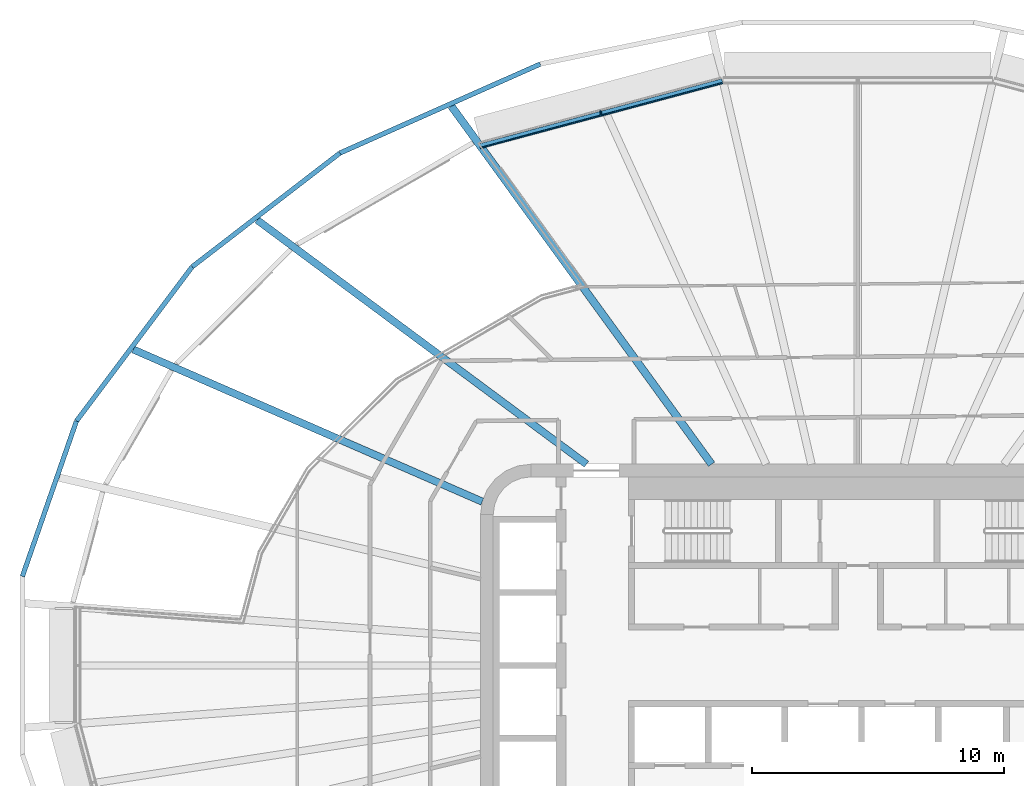
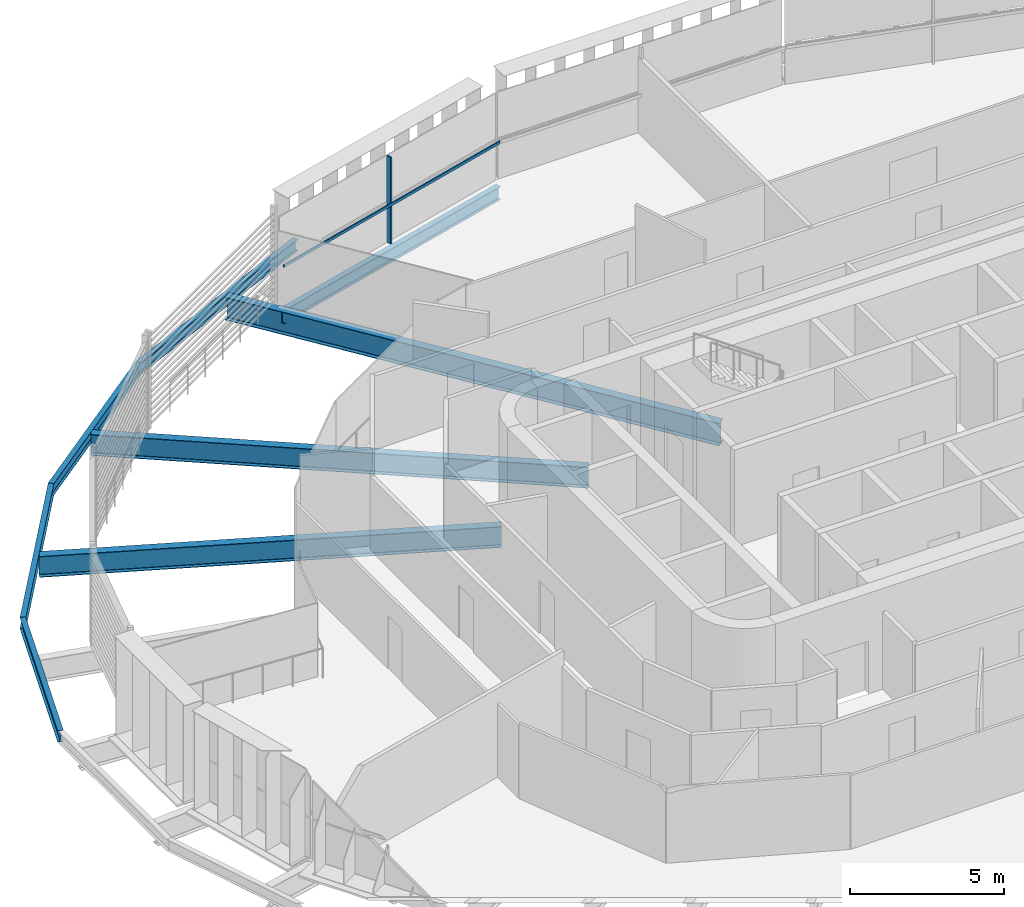
# One storey, part 5 of 23: 8 beams, 2 members, 1 element without a shape of its own.
"""IFC4 building model written with IfcOpenShell, lengths in metres."""

from ifc_helpers import new_model, si_unit, direction, frame, origin, origin_2d, place, context, subcontext, project, spatial, rectangle, i_section, extrude, material, layer, layer_set, material_profile, profile_set, type_object, element, aggregate, save


model = new_model("IFC4")

# Units and contexts
model_context = context("Model", 3, precision=1e-05, world=origin(), true_north=direction((0.0, 1.0)))
body_context = subcontext(model_context, "Body", "Model", "MODEL_VIEW")
ifc_project = project(units=[si_unit("LENGTHUNIT", "METRE"), si_unit("AREAUNIT", "SQUARE_METRE"), si_unit("VOLUMEUNIT", "CUBIC_METRE"), si_unit("PLANEANGLEUNIT", "RADIAN"), si_unit("MASSUNIT", "GRAM", prefix="KILO")], contexts=[model_context])

# Site, building, storey
site_placement = place(None, origin())
site = spatial("IfcSite", under=ifc_project, at=site_placement, CompositionType="ELEMENT")
building_placement = place(site_placement, origin())
building = spatial("IfcBuilding", under=site, at=building_placement, Name="Sahrelin Media Tower", CompositionType="ELEMENT")
storey_placement = place(building_placement, frame((0.0, 0.0, 173.60009765625)))
storey = spatial("IfcBuildingStorey", under=building, at=storey_placement, Name="L36", CompositionType="ELEMENT", Elevation=173.60009765625)

# Beam
ifc_material_1 = material(Name="Steel S355", Category="steel")
ifc_material_profile_1 = material_profile(ifc_material_1, i_section(OverallWidth=0.208740234375, OverallDepth=0.5283203125, WebThickness=0.009521484375, FlangeThickness=0.01318359375, FilletRadius=0.0126953125, at=origin_2d()), Name="UB 533x210x82")
ifc_profile_set_1 = profile_set([ifc_material_profile_1], Name="Steel S355")
beam_type_1 = type_object("IfcBeamType", Name="Edge beam EB6", PredefinedType="BEAM", material=ifc_profile_set_1)
beam_1_placement = place(storey_placement, frame((-15.028076171875, 20.6396484375, -0.414306640625), z_axis=(0.965925666442, 0.25881964166, 0.0), x_axis=(-0.25881964166, 0.965925666442, 0.0)))
element("IfcBeam", 1, at=beam_1_placement, inside=storey, type_object=beam_type_1, Name="Edge beam L36-14", PredefinedType="BEAM", context=body_context, shape_type="SweptSolid", body=[
    extrude(i_section(OverallWidth=0.208740234375, OverallDepth=0.5283203125, WebThickness=0.009521484375, FlangeThickness=0.01318359375, FilletRadius=0.0126953125, at=origin_2d()), origin(), (0.0, 0.0, 1.0), 9.97998046875),
])

# Curtain wall, member
ifc_material_2 = material(Name="Champagne anodised aluminium 6063-T6", Category="aluminium")
ifc_layer = layer(ifc_material_2, 0.14990234375)
ifc_layer_set = layer_set([ifc_layer], Name="Tower ribbon curtain wall")
curtain_wall_type = type_object("IfcCurtainWallType", Name="Tower ribbon curtain wall", PredefinedType="NOTDEFINED", material=ifc_layer_set)
curtain_wall_placement = place(storey_placement, frame((-10.246826171875, 22.075927734375, 0.0), z_axis=(0.0, 0.0, 1.0), x_axis=(1.0, 0.0, 0.0)))
curtain_wall = element("IfcCurtainWall", 2, at=curtain_wall_placement, inside=storey, type_object=curtain_wall_type, Name="L36:CW:L36-07", PredefinedType="NOTDEFINED")
ifc_material_profile_2 = material_profile(ifc_material_2, rectangle(XDim=0.06005859375, YDim=0.175048828125, at=origin_2d()), Name="Mullion 60x175")
ifc_profile_set_2 = profile_set([ifc_material_profile_2], Name="Champagne anodised aluminium 6063-T6")
member_type_1 = type_object("IfcMemberType", Name="Mullion 60x175 CW1B", PredefinedType="MULLION", material=ifc_profile_set_2)
member_1_placement = place(storey_placement, frame((-10.218994140625, 21.97216796875, 0.0), z_axis=(0.0, 0.0, 1.0), x_axis=(-0.965925374563, -0.258820730961, 0.0)))
member_1 = element("IfcMember", 3, at=member_1_placement, type_object=member_type_1, Name="L36:CWM:L36-07", PredefinedType="MULLION", context=body_context, shape_type="SweptSolid", body=[
    extrude(rectangle(XDim=0.06005859375, YDim=0.175048828125, at=origin_2d()), origin(), (0.0, 0.0, 1.0), 3.448486328125),
])

# Beams
ifc_material_profile_3 = material_profile(ifc_material_1, i_section(OverallWidth=0.291748046875, OverallDepth=0.8349609375, WebThickness=0.013916015625, FlangeThickness=0.018798828125, FilletRadius=0.017822265625, at=origin_2d()), Name="UB 838x292x176")
ifc_profile_set_3 = profile_set([ifc_material_profile_3], Name="Steel S355")
beam_type_2 = type_object("IfcBeamType", Name="Radial primary beam PB10", PredefinedType="BEAM", material=ifc_profile_set_3)
beam_2_placement = place(storey_placement, frame((-10.7880859375, 8.0, -0.567626953125), z_axis=(-0.803237803341, 0.595658485446, 0.0), x_axis=(-0.595658485446, -0.803237803341, 0.0)))
element("IfcBeam", 4, at=beam_2_placement, inside=storey, type_object=beam_type_2, Name="Radial beam L36-09", PredefinedType="BEAM", context=body_context, shape_type="SweptSolid", body=[
    extrude(i_section(OverallWidth=0.291748046875, OverallDepth=0.8349609375, WebThickness=0.013916015625, FlangeThickness=0.018798828125, FilletRadius=0.017822265625, at=origin_2d()), origin(), (0.0, 0.0, 1.0), 16.309326171875),
])
beam_3_placement = place(storey_placement, frame((-14.932861328125, 6.510986328125, -0.567626953125), z_axis=(-0.916643258443, 0.399706313124, 0.0), x_axis=(-0.399706313124, -0.916643258443, 0.0)))
element("IfcBeam", 5, at=beam_3_placement, inside=storey, type_object=beam_type_2, Name="Radial beam L36-10", PredefinedType="BEAM", context=body_context, shape_type="SweptSolid", body=[
    extrude(i_section(OverallWidth=0.291748046875, OverallDepth=0.8349609375, WebThickness=0.013916015625, FlangeThickness=0.018798828125, FilletRadius=0.017822265625, at=origin_2d()), origin(), (0.0, 0.0, 1.0), 15.142333984375),
])
ifc_material_profile_4 = material_profile(ifc_material_1, i_section(OverallWidth=0.30322265625, OverallDepth=0.903076171875, WebThickness=0.01513671875, FlangeThickness=0.020263671875, FilletRadius=0.01904296875, at=origin_2d()), Name="UB 914x305x201")
ifc_profile_set_4 = profile_set([ifc_material_profile_4], Name="Steel S355")
beam_type_3 = type_object("IfcBeamType", Name="Radial primary beam PB11", PredefinedType="BEAM", material=ifc_profile_set_4)
beam_4_placement = place(storey_placement, frame((-5.814453125, 8.0, -0.6015625), z_axis=(-0.587929171174, 0.808912411626, 0.0), x_axis=(-0.808912411626, -0.587929171174, 0.0)))
element("IfcBeam", 6, at=beam_4_placement, inside=storey, type_object=beam_type_3, Name="Radial beam L36-08", PredefinedType="BEAM", context=body_context, shape_type="SweptSolid", body=[
    extrude(i_section(OverallWidth=0.30322265625, OverallDepth=0.903076171875, WebThickness=0.01513671875, FlangeThickness=0.020263671875, FilletRadius=0.01904296875, at=origin_2d()), origin(), (0.0, 0.0, 1.0), 17.599365234375),
])
ifc_material_profile_5 = material_profile(ifc_material_1, i_section(OverallWidth=0.1904296875, OverallDepth=0.45703125, WebThickness=0.009033203125, FlangeThickness=0.014404296875, FilletRadius=0.01025390625, at=origin_2d()), Name="UB 457x191x74")
ifc_profile_set_5 = profile_set([ifc_material_profile_5], Name="Steel S355")
beam_type_4 = type_object("IfcBeamType", Name="Tie chord TC5", PredefinedType="BEAM", material=ifc_profile_set_5)
beam_5_placement = place(storey_placement, frame((-12.62353515625, 23.912841796875, -0.378662109375), z_axis=(-0.913835787725, -0.406083923682, 0.0), x_axis=(0.406083923682, -0.913835787725, 0.0)))
element("IfcBeam", 7, at=beam_5_placement, inside=storey, type_object=beam_type_4, Name="Tie chord L36-08", PredefinedType="BEAM", context=body_context, shape_type="SweptSolid", body=[
    extrude(i_section(OverallWidth=0.1904296875, OverallDepth=0.45703125, WebThickness=0.009033203125, FlangeThickness=0.014404296875, FilletRadius=0.01025390625, at=origin_2d()), origin(), (0.0, 0.0, 1.0), 8.7216796875),
])
beam_6_placement = place(storey_placement, frame((-20.59375, 20.37109375, -0.378662109375), z_axis=(-0.792434124871, -0.609957504864, 0.0), x_axis=(0.609957504864, -0.792434124871, 0.0)))
element("IfcBeam", 8, at=beam_6_placement, inside=storey, type_object=beam_type_4, Name="Tie chord L36-09", PredefinedType="BEAM", context=body_context, shape_type="SweptSolid", body=[
    extrude(i_section(OverallWidth=0.1904296875, OverallDepth=0.45703125, WebThickness=0.009033203125, FlangeThickness=0.014404296875, FilletRadius=0.01025390625, at=origin_2d()), origin(), (0.0, 0.0, 1.0), 7.410888671875),
])
beam_7_placement = place(storey_placement, frame((-26.46630859375, 15.850830078125, -0.378662109375), z_axis=(-0.600035657065, -0.79997325596, 0.0), x_axis=(0.79997325596, -0.600035657065, 0.0)))
element("IfcBeam", 9, at=beam_7_placement, inside=storey, type_object=beam_type_4, Name="Tie chord L36-10", PredefinedType="BEAM", context=body_context, shape_type="SweptSolid", body=[
    extrude(i_section(OverallWidth=0.1904296875, OverallDepth=0.45703125, WebThickness=0.009033203125, FlangeThickness=0.014404296875, FilletRadius=0.01025390625, at=origin_2d()), origin(), (0.0, 0.0, 1.0), 7.66845703125),
])
beam_8_placement = place(storey_placement, frame((-31.067626953125, 9.71630859375, -0.378662109375), z_axis=(-0.328791447129, -0.944402554155, 0.0), x_axis=(0.944402554155, -0.328791447129, 0.0)))
element("IfcBeam", 10, at=beam_8_placement, inside=storey, type_object=beam_type_4, Name="Tie chord L36-11", PredefinedType="BEAM", context=body_context, shape_type="SweptSolid", body=[
    extrude(i_section(OverallWidth=0.1904296875, OverallDepth=0.45703125, WebThickness=0.009033203125, FlangeThickness=0.014404296875, FilletRadius=0.01025390625, at=origin_2d()), origin(), (0.0, 0.0, 1.0), 6.5380859375),
])

# Member
ifc_material_profile_6 = material_profile(ifc_material_2, rectangle(XDim=0.050048828125, YDim=0.110107421875, at=origin_2d()), Name="Transom 50x110")
ifc_profile_set_6 = profile_set([ifc_material_profile_6], Name="Champagne anodised aluminium 6063-T6")
member_type_2 = type_object("IfcMemberType", Name="Transom 50x110 CW1B", PredefinedType="USERDEFINED", material=ifc_profile_set_6)
member_2_placement = place(storey_placement, frame((-5.385498046875, 23.15087890625, 1.599853515625), z_axis=(-0.965927128599, -0.258814184766, 0.0), x_axis=(0.258814184766, -0.965927128599, 0.0)))
member_2 = element("IfcMember", 11, at=member_2_placement, type_object=member_type_2, Name="L36:CWT:L36-07", ObjectType="TRANSOM", PredefinedType="USERDEFINED", context=body_context, shape_type="SweptSolid", body=[
    extrude(rectangle(XDim=0.050048828125, YDim=0.110107421875, at=origin_2d()), origin(), (0.0, 0.0, 1.0), 9.947998046875),
])

aggregate(curtain_wall, [member_1, member_2])

save(model, "model.ifc")
